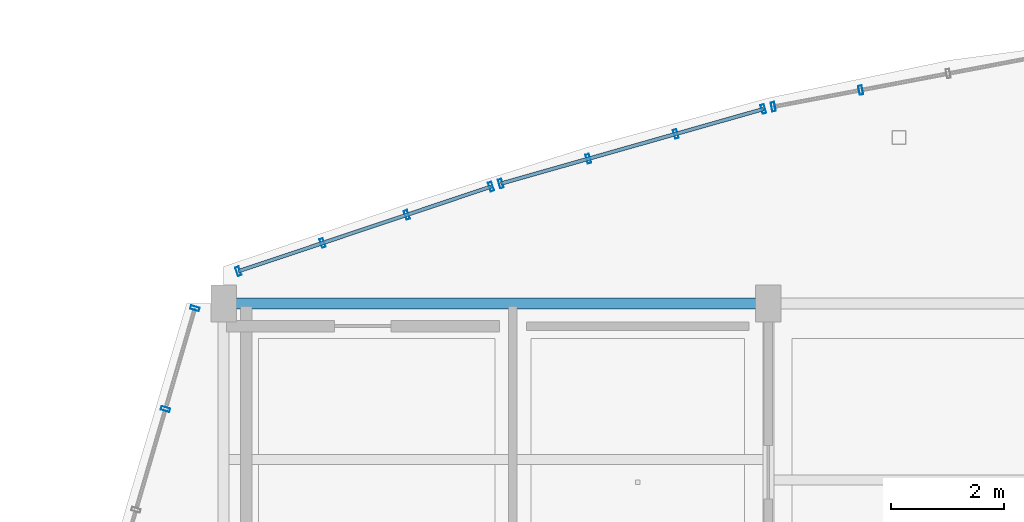
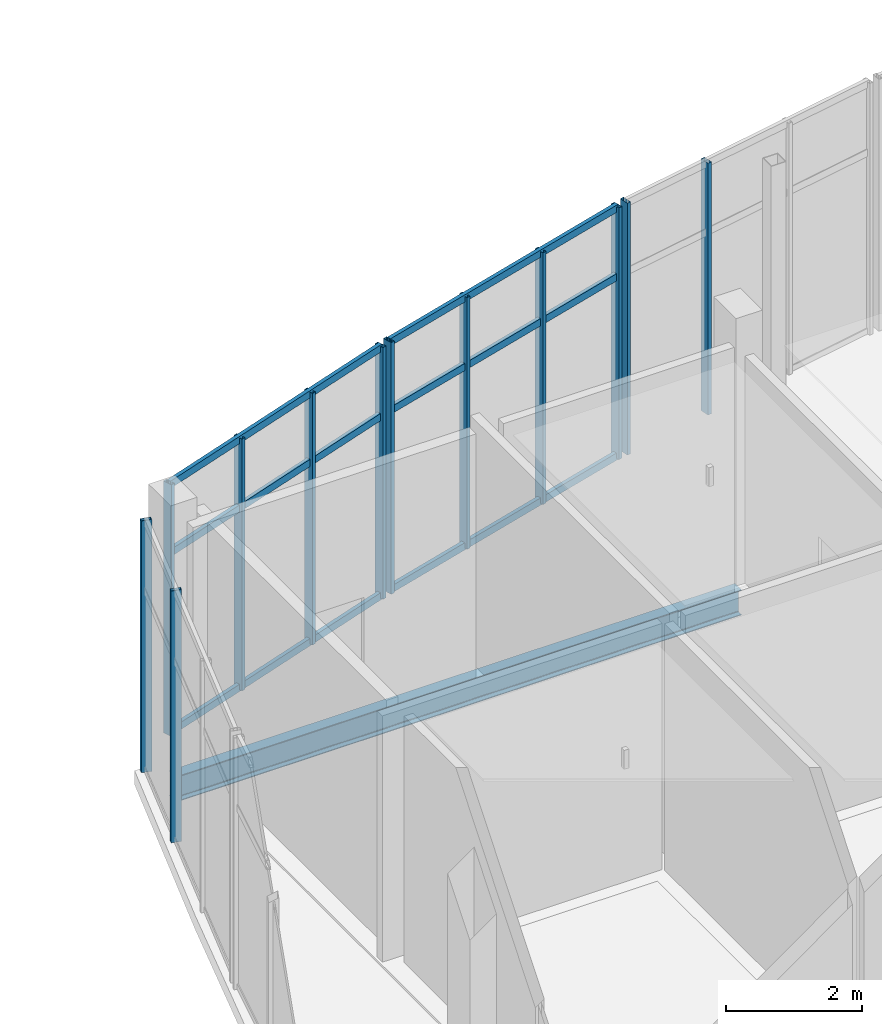
# One storey, part 37 of 157: 18 members, 1 beam, 4 elements without a shape of their own.
"""IFC4 building model written with IfcOpenShell, lengths in metres."""

from ifc_helpers import new_model, si_unit, direction, frame, origin, origin_2d, place, context, subcontext, project, spatial, hollow_rectangle, i_section, extrude, material, layer, layer_set, material_profile, profile_set, type_object, element, aggregate, save


model = new_model("IFC4")

# Units and contexts
model_context = context("Model", 3, precision=1e-05, world=origin(), true_north=direction((0.0, 1.0)))
body_context = subcontext(model_context, "Body", "Model", "MODEL_VIEW")
ifc_project = project(units=[si_unit("LENGTHUNIT", "METRE"), si_unit("AREAUNIT", "SQUARE_METRE"), si_unit("VOLUMEUNIT", "CUBIC_METRE"), si_unit("PLANEANGLEUNIT", "RADIAN"), si_unit("MASSUNIT", "GRAM", prefix="KILO")], contexts=[model_context])

# Site, building, storey
site_placement = place(None, origin())
site = spatial("IfcSite", under=ifc_project, at=site_placement, CompositionType="ELEMENT")
building_placement = place(site_placement, origin())
building = spatial("IfcBuilding", under=site, at=building_placement, Name="Chalmorin Arch Market", CompositionType="ELEMENT")
storey_placement = place(building_placement, frame((0.0, 0.0, 4.800048828125)))
storey = spatial("IfcBuildingStorey", under=building, at=storey_placement, Name="L01", CompositionType="ELEMENT", Elevation=4.800048828125)

# Curtain wall, members
ifc_material_1 = material(Name="Aluminium 6063-T6", Category="aluminium")
ifc_layer_1 = layer(ifc_material_1, 0.159912109375)
ifc_layer_set_1 = layer_set([ifc_layer_1], Name="Aluminium 6063-T6")
curtain_wall_type_1 = type_object("IfcCurtainWallType", Name="RiverfrontStorefrontCurtainWall-CW2-5550x4520", PredefinedType="NOTDEFINED", material=ifc_layer_set_1)
curtain_wall_1_placement = place(storey_placement, origin())
curtain_wall_1 = element("IfcCurtainWall", 1, at=curtain_wall_1_placement, inside=storey, type_object=curtain_wall_type_1, Name="CW-02-067", PredefinedType="NOTDEFINED")
ifc_material_profile_1 = material_profile(ifc_material_1, hollow_rectangle(XDim=0.06494140625, YDim=0.159912109375, WallThickness=0.00390625, at=origin_2d()), Name="ALU65X160X4")
ifc_profile_set_1 = profile_set([ifc_material_profile_1], Name="Aluminium 6063-T6")
member_type_1 = type_object("IfcMemberType", Name="CurtainWallMullion-65x160", PredefinedType="MULLION", material=ifc_profile_set_1)
member_1_placement = place(storey_placement, frame((-1.024169921875, 48.137939453125, 0.0), z_axis=(0.0, 0.0, 1.0), x_axis=(0.275637355817, 0.961261695938, 0.0)))
member_1 = element("IfcMember", 2, at=member_1_placement, type_object=member_type_1, Name="ML-067-03", PredefinedType="MULLION", context=body_context, shape_type="SweptSolid", body=[
    extrude(hollow_rectangle(XDim=0.06494140625, YDim=0.159912109375, WallThickness=0.00390625, at=origin_2d()), origin(), (0.0, 0.0, 1.0), 4.52001953125),
])
member_2_placement = place(storey_placement, frame((-0.505126953125, 49.91357421875, 0.0), z_axis=(0.0, 0.0, 1.0), x_axis=(0.275637355817, 0.961261695938, 0.0)))
member_2 = element("IfcMember", 3, at=member_2_placement, type_object=member_type_1, Name="ML-067-04", PredefinedType="MULLION", context=body_context, shape_type="SweptSolid", body=[
    extrude(hollow_rectangle(XDim=0.06494140625, YDim=0.159912109375, WallThickness=0.00390625, at=origin_2d()), origin(), (0.0, 0.0, 1.0), 4.52001953125),
])
aggregate(curtain_wall_1, [member_1, member_2])

ifc_layer_2 = layer(ifc_material_1, 0.159912109375)
ifc_layer_set_2 = layer_set([ifc_layer_2], Name="Aluminium 6063-T6")
curtain_wall_type_2 = type_object("IfcCurtainWallType", Name="RiverfrontStorefrontCurtainWall-CW2-4700x4520", PredefinedType="NOTDEFINED", material=ifc_layer_set_2)
curtain_wall_2_placement = place(storey_placement, origin())
curtain_wall_2 = element("IfcCurtainWall", 4, at=curtain_wall_2_placement, inside=storey, type_object=curtain_wall_type_2, Name="CW-02-070", PredefinedType="NOTDEFINED")
member_3_placement = place(storey_placement, frame((0.260009765625, 50.56689453125, 0.0), z_axis=(0.0, 0.0, 1.0), x_axis=(0.945518575599, 0.325568154457, 0.0)))
member_3 = element("IfcMember", 5, at=member_3_placement, type_object=member_type_1, Name="ML-070-01", PredefinedType="MULLION", context=body_context, shape_type="SweptSolid", body=[
    extrude(hollow_rectangle(XDim=0.06494140625, YDim=0.159912109375, WallThickness=0.00390625, at=origin_2d()), origin(), (0.0, 0.0, 1.0), 4.52001953125),
])
member_4_placement = place(storey_placement, frame((1.744873046875, 51.064208984375, 0.0), z_axis=(0.0, 0.0, 1.0), x_axis=(0.945518575599, 0.325568154457, 0.0)))
member_4 = element("IfcMember", 6, at=member_4_placement, type_object=member_type_1, Name="ML-070-02", PredefinedType="MULLION", context=body_context, shape_type="SweptSolid", body=[
    extrude(hollow_rectangle(XDim=0.06494140625, YDim=0.159912109375, WallThickness=0.00390625, at=origin_2d()), origin(), (0.0, 0.0, 1.0), 4.52001953125),
])
member_5_placement = place(storey_placement, frame((3.229736328125, 51.561279296875, 0.0), z_axis=(0.0, 0.0, 1.0), x_axis=(0.945518575599, 0.325568154457, 0.0)))
member_5 = element("IfcMember", 7, at=member_5_placement, type_object=member_type_1, Name="ML-070-03", PredefinedType="MULLION", context=body_context, shape_type="SweptSolid", body=[
    extrude(hollow_rectangle(XDim=0.06494140625, YDim=0.159912109375, WallThickness=0.00390625, at=origin_2d()), origin(), (0.0, 0.0, 1.0), 4.52001953125),
])
member_6_placement = place(storey_placement, frame((4.714599609375, 52.058349609375, 0.0), z_axis=(0.0, 0.0, 1.0), x_axis=(0.945518575599, 0.325568154457, 0.0)))
member_6 = element("IfcMember", 8, at=member_6_placement, type_object=member_type_1, Name="ML-070-04", PredefinedType="MULLION", context=body_context, shape_type="SweptSolid", body=[
    extrude(hollow_rectangle(XDim=0.06494140625, YDim=0.159912109375, WallThickness=0.00390625, at=origin_2d()), origin(), (0.0, 0.0, 1.0), 4.52001953125),
])

ifc_layer_3 = layer(ifc_material_1, 0.159912109375)
ifc_layer_set_3 = layer_set([ifc_layer_3], Name="Aluminium 6063-T6")
curtain_wall_type_3 = type_object("IfcCurtainWallType", Name="RiverfrontStorefrontCurtainWall-CW2-4810x4520", PredefinedType="NOTDEFINED", material=ifc_layer_set_3)
curtain_wall_3_placement = place(storey_placement, origin())
curtain_wall_3 = element("IfcCurtainWall", 9, at=curtain_wall_3_placement, inside=storey, type_object=curtain_wall_type_3, Name="CW-02-073", PredefinedType="NOTDEFINED")
member_7_placement = place(storey_placement, frame((4.88671875, 52.111572265625, 0.0), z_axis=(0.0, 0.0, 1.0), x_axis=(0.961261695938, 0.275637355817, 0.0)))
member_7 = element("IfcMember", 10, at=member_7_placement, type_object=member_type_1, Name="ML-073-01", PredefinedType="MULLION", context=body_context, shape_type="SweptSolid", body=[
    extrude(hollow_rectangle(XDim=0.06494140625, YDim=0.159912109375, WallThickness=0.00390625, at=origin_2d()), origin(), (0.0, 0.0, 1.0), 4.52001953125),
])
member_8_placement = place(storey_placement, frame((6.428955078125, 52.549560546875, 0.0), z_axis=(0.0, 0.0, 1.0), x_axis=(0.961261695938, 0.275637355817, 0.0)))
member_8 = element("IfcMember", 11, at=member_8_placement, type_object=member_type_1, Name="ML-073-02", PredefinedType="MULLION", context=body_context, shape_type="SweptSolid", body=[
    extrude(hollow_rectangle(XDim=0.06494140625, YDim=0.159912109375, WallThickness=0.00390625, at=origin_2d()), origin(), (0.0, 0.0, 1.0), 4.52001953125),
])
member_9_placement = place(storey_placement, frame((7.97119140625, 52.987548828125, 0.0), z_axis=(0.0, 0.0, 1.0), x_axis=(0.961261695938, 0.275637355817, 0.0)))
member_9 = element("IfcMember", 12, at=member_9_placement, type_object=member_type_1, Name="ML-073-03", PredefinedType="MULLION", context=body_context, shape_type="SweptSolid", body=[
    extrude(hollow_rectangle(XDim=0.06494140625, YDim=0.159912109375, WallThickness=0.00390625, at=origin_2d()), origin(), (0.0, 0.0, 1.0), 4.52001953125),
])
member_10_placement = place(storey_placement, frame((9.513427734375, 53.42529296875, 0.0), z_axis=(0.0, 0.0, 1.0), x_axis=(0.961261695938, 0.275637355817, 0.0)))
member_10 = element("IfcMember", 13, at=member_10_placement, type_object=member_type_1, Name="ML-073-04", PredefinedType="MULLION", context=body_context, shape_type="SweptSolid", body=[
    extrude(hollow_rectangle(XDim=0.06494140625, YDim=0.159912109375, WallThickness=0.00390625, at=origin_2d()), origin(), (0.0, 0.0, 1.0), 4.52001953125),
])

ifc_layer_4 = layer(ifc_material_1, 0.159912109375)
ifc_layer_set_4 = layer_set([ifc_layer_4], Name="Aluminium 6063-T6")
curtain_wall_type_4 = type_object("IfcCurtainWallType", Name="RiverfrontStorefrontCurtainWall-CW2-4710x4520", PredefinedType="NOTDEFINED", material=ifc_layer_set_4)
curtain_wall_4_placement = place(storey_placement, origin())
curtain_wall_4 = element("IfcCurtainWall", 14, at=curtain_wall_4_placement, inside=storey, type_object=curtain_wall_type_4, Name="CW-02-076", PredefinedType="NOTDEFINED")
member_11_placement = place(storey_placement, frame((9.6884765625, 53.466796875, 0.0), z_axis=(0.0, 0.0, 1.0), x_axis=(0.981627183448, 0.190808995377, 0.0)))
member_11 = element("IfcMember", 15, at=member_11_placement, type_object=member_type_1, Name="ML-076-01", PredefinedType="MULLION", context=body_context, shape_type="SweptSolid", body=[
    extrude(hollow_rectangle(XDim=0.06494140625, YDim=0.159912109375, WallThickness=0.00390625, at=origin_2d()), origin(), (0.0, 0.0, 1.0), 4.52001953125),
])
member_12_placement = place(storey_placement, frame((11.2294921875, 53.7587890625, 0.0), z_axis=(0.0, 0.0, 1.0), x_axis=(0.981627183448, 0.190808995377, 0.0)))
member_12 = element("IfcMember", 16, at=member_12_placement, type_object=member_type_1, Name="ML-076-02", PredefinedType="MULLION", context=body_context, shape_type="SweptSolid", body=[
    extrude(hollow_rectangle(XDim=0.06494140625, YDim=0.159912109375, WallThickness=0.00390625, at=origin_2d()), origin(), (0.0, 0.0, 1.0), 4.52001953125),
])
aggregate(curtain_wall_4, [member_11, member_12])

# Member
ifc_material_profile_2 = material_profile(ifc_material_1, hollow_rectangle(XDim=0.06494140625, YDim=0.1298828125, WallThickness=0.00390625, at=origin_2d()), Name="ALU65X130X4")
ifc_profile_set_2 = profile_set([ifc_material_profile_2], Name="Aluminium 6063-T6")
member_type_2 = type_object("IfcMemberType", Name="CurtainWallTransom-65x130", PredefinedType="USERDEFINED", material=ifc_profile_set_2)
member_13_placement = place(storey_placement, frame((0.260009765625, 50.56689453125, 0.034912109375), z_axis=(0.948261492974, 0.317490379293, 0.0), x_axis=(-0.317490379293, 0.948261492974, 0.0)))
member_13 = element("IfcMember", 17, at=member_13_placement, type_object=member_type_2, Name="TR-070-01", ObjectType="TRANSOM", PredefinedType="USERDEFINED", context=body_context, shape_type="SweptSolid", body=[
    extrude(hollow_rectangle(XDim=0.06494140625, YDim=0.1298828125, WallThickness=0.00390625, at=origin_2d()), origin(), (0.0, 0.0, 1.0), 4.69775390625),
])

member_14_placement = place(storey_placement, frame((0.260009765625, 50.56689453125, 3.25439453125), z_axis=(0.948261492974, 0.317490379293, 0.0), x_axis=(-0.317490379293, 0.948261492974, 0.0)))
member_14 = element("IfcMember", 18, at=member_14_placement, type_object=member_type_2, Name="TR-070-02", ObjectType="TRANSOM", PredefinedType="USERDEFINED", context=body_context, shape_type="SweptSolid", body=[
    extrude(hollow_rectangle(XDim=0.06494140625, YDim=0.1298828125, WallThickness=0.00390625, at=origin_2d()), origin(), (0.0, 0.0, 1.0), 4.69775390625),
])

member_15_placement = place(storey_placement, frame((0.260009765625, 50.56689453125, 4.48486328125), z_axis=(0.948261492974, 0.317490379293, 0.0), x_axis=(-0.317490379293, 0.948261492974, 0.0)))
member_15 = element("IfcMember", 19, at=member_15_placement, type_object=member_type_2, Name="TR-070-03", ObjectType="TRANSOM", PredefinedType="USERDEFINED", context=body_context, shape_type="SweptSolid", body=[
    extrude(hollow_rectangle(XDim=0.06494140625, YDim=0.1298828125, WallThickness=0.00390625, at=origin_2d()), origin(), (0.0, 0.0, 1.0), 4.69775390625),
])

aggregate(curtain_wall_2, [member_3, member_4, member_5, member_6, member_13, member_14, member_15])

member_16_placement = place(storey_placement, frame((4.88671875, 52.111572265625, 0.034912109375), z_axis=(0.96197280209, 0.273145250807, 0.0), x_axis=(-0.273145250807, 0.96197280209, 0.0)))
member_16 = element("IfcMember", 20, at=member_16_placement, type_object=member_type_2, Name="TR-073-01", ObjectType="TRANSOM", PredefinedType="USERDEFINED", context=body_context, shape_type="SweptSolid", body=[
    extrude(hollow_rectangle(XDim=0.06494140625, YDim=0.1298828125, WallThickness=0.00390625, at=origin_2d()), origin(), (0.0, 0.0, 1.0), 4.8095703125),
])

member_17_placement = place(storey_placement, frame((4.88671875, 52.111572265625, 3.25439453125), z_axis=(0.96197280209, 0.273145250807, 0.0), x_axis=(-0.273145250807, 0.96197280209, 0.0)))
member_17 = element("IfcMember", 21, at=member_17_placement, type_object=member_type_2, Name="TR-073-02", ObjectType="TRANSOM", PredefinedType="USERDEFINED", context=body_context, shape_type="SweptSolid", body=[
    extrude(hollow_rectangle(XDim=0.06494140625, YDim=0.1298828125, WallThickness=0.00390625, at=origin_2d()), origin(), (0.0, 0.0, 1.0), 4.8095703125),
])

member_18_placement = place(storey_placement, frame((4.88671875, 52.111572265625, 4.48486328125), z_axis=(0.96197280209, 0.273145250807, 0.0), x_axis=(-0.273145250807, 0.96197280209, 0.0)))
member_18 = element("IfcMember", 22, at=member_18_placement, type_object=member_type_2, Name="TR-073-03", ObjectType="TRANSOM", PredefinedType="USERDEFINED", context=body_context, shape_type="SweptSolid", body=[
    extrude(hollow_rectangle(XDim=0.06494140625, YDim=0.1298828125, WallThickness=0.00390625, at=origin_2d()), origin(), (0.0, 0.0, 1.0), 4.8095703125),
])

aggregate(curtain_wall_3, [member_7, member_8, member_9, member_10, member_16, member_17, member_18])

# Beam
ifc_material_2 = material(Name="Steel A992 Grade 50", Category="steel")
ifc_material_profile_3 = material_profile(ifc_material_2, i_section(OverallWidth=0.19091796875, OverallDepth=0.45703125, WebThickness=0.009033203125, FlangeThickness=0.014404296875, FilletRadius=0.02001953125, at=origin_2d()), Name="W18X50")
ifc_profile_set_3 = profile_set([ifc_material_profile_3], Name="Steel A992 Grade 50")
beam_type = type_object("IfcBeamType", Name="PerimeterSpandrelBeam-W18X50", PredefinedType="SPANDREL", material=ifc_profile_set_3)
beam_placement = place(storey_placement, frame((0.0, 50.0, -0.510498046875), z_axis=(1.0, 0.0, 0.0), x_axis=(0.0, 1.0, 0.0)))
element("IfcBeam", 23, at=beam_placement, inside=storey, type_object=beam_type, Name="SP-W18-0811", PredefinedType="SPANDREL", context=body_context, shape_type="SweptSolid", body=[
    extrude(i_section(OverallWidth=0.19091796875, OverallDepth=0.45703125, WebThickness=0.009033203125, FlangeThickness=0.014404296875, FilletRadius=0.02001953125, at=origin_2d()), origin(), (0.0, 0.0, 1.0), 9.60009765625),
])

save(model, "model.ifc")
